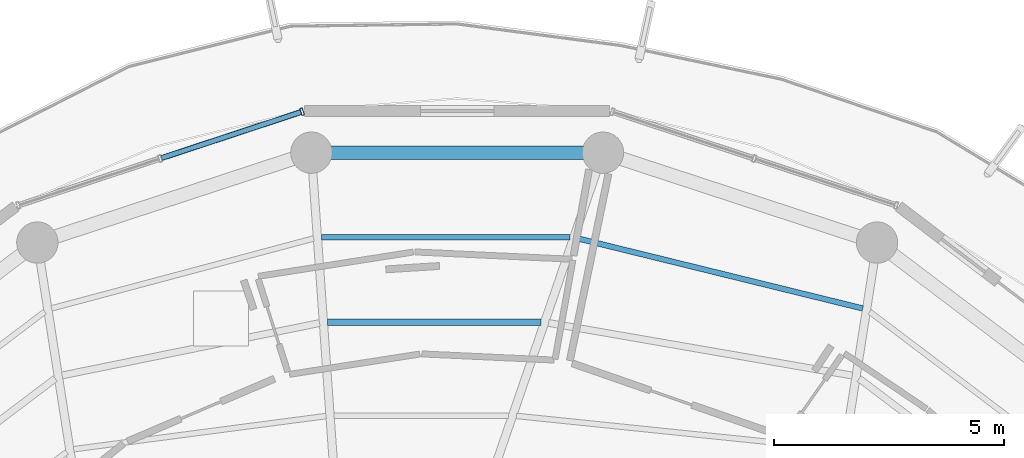
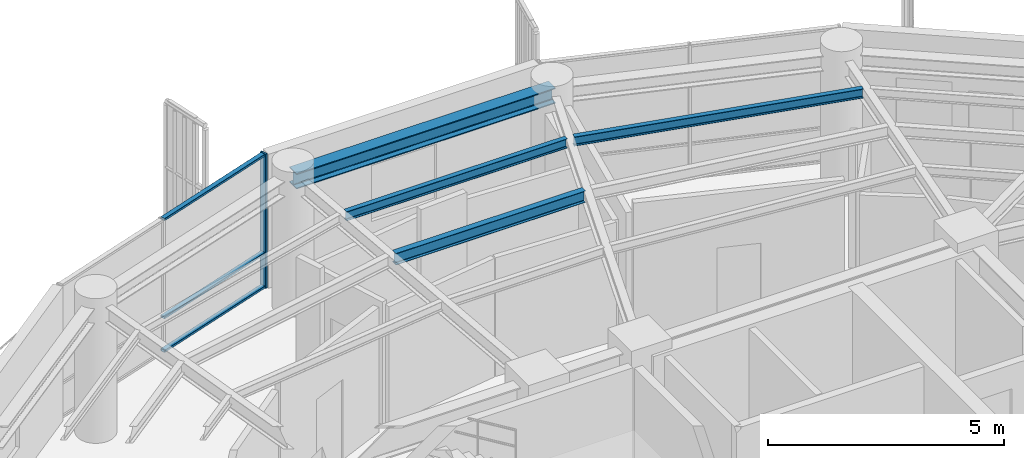
# One storey, part 12 of 22: 4 beams, 4 members, 1 element without a shape of its own.
"""IFC4 building model written with IfcOpenShell, lengths in metres."""

from ifc_helpers import new_model, si_unit, direction, frame, origin, origin_2d, place, context, subcontext, project, spatial, hollow_rectangle, i_section, extrude, material, layer, layer_set, material_profile, profile_set, type_object, element, aggregate, save


model = new_model("IFC4")

# Units and contexts
model_context = context("Model", 3, precision=1e-05, world=origin(), true_north=direction((0.0, 1.0)))
body_context = subcontext(model_context, "Body", "Model", "MODEL_VIEW")
ifc_project = project(units=[si_unit("LENGTHUNIT", "METRE"), si_unit("AREAUNIT", "SQUARE_METRE"), si_unit("VOLUMEUNIT", "CUBIC_METRE"), si_unit("PLANEANGLEUNIT", "RADIAN"), si_unit("MASSUNIT", "GRAM", prefix="KILO")], contexts=[model_context])

# Site, building, storey
site_placement = place(None, origin())
site = spatial("IfcSite", under=ifc_project, at=site_placement, CompositionType="ELEMENT")
building_placement = place(site_placement, origin())
building = spatial("IfcBuilding", under=site, at=building_placement, Name="Kelanora Arch Commons", CompositionType="ELEMENT")
storey_placement = place(building_placement, frame((0.0, 0.0, 274.949951171875)))
storey = spatial("IfcBuildingStorey", under=building, at=storey_placement, Name="L70", CompositionType="ELEMENT", Elevation=274.949951171875)

# Beams
ifc_material_1 = material(Name="Steel S355", Category="steel")
ifc_material_profile_1 = material_profile(ifc_material_1, i_section(OverallWidth=0.14990234375, OverallDepth=0.300048828125, WebThickness=0.007080078125, FlangeThickness=0.0107421875, FilletRadius=0.014892578125, at=origin_2d()), Name="IPE300")
ifc_profile_set_1 = profile_set([ifc_material_profile_1], Name="Steel S355")
beam_type_1 = type_object("IfcBeamType", Name="BM-JST-01", PredefinedType="JOIST", material=ifc_profile_set_1)
beam_1_placement = place(storey_placement, frame((75.819580078125, 70.537841796875, 3.340087890625), z_axis=(-1.0, 0.0, 0.0), x_axis=(0.0, -1.0, 0.0)))
element("IfcBeam", 1, at=beam_1_placement, inside=storey, type_object=beam_type_1, Name="Secondary Chord Joist BJB-08 L70", PredefinedType="JOIST", context=body_context, shape_type="SweptSolid", body=[
    extrude(i_section(OverallWidth=0.14990234375, OverallDepth=0.300048828125, WebThickness=0.007080078125, FlangeThickness=0.0107421875, FilletRadius=0.014892578125, at=origin_2d()), origin(), (0.0, 0.0, 1.0), 4.647216796875),
])
ifc_material_profile_2 = material_profile(ifc_material_1, i_section(OverallWidth=0.1201171875, OverallDepth=0.239990234375, WebThickness=0.006103515625, FlangeThickness=0.009765625, FilletRadius=0.014892578125, at=origin_2d()), Name="IPE240")
ifc_profile_set_2 = profile_set([ifc_material_profile_2], Name="Steel S355")
beam_type_2 = type_object("IfcBeamType", Name="BM-JST-02", PredefinedType="JOIST", material=ifc_profile_set_2)
beam_2_placement = place(storey_placement, frame((82.82958984375, 70.837890625, 3.3701171875), z_axis=(-0.971109719488, 0.23863342749, 0.0), x_axis=(-0.23863342749, -0.971109719488, 0.0)))
element("IfcBeam", 2, at=beam_2_placement, inside=storey, type_object=beam_type_2, Name="Secondary Chord Joist BJC-06 L70", PredefinedType="JOIST", context=body_context, shape_type="SweptSolid", body=[
    extrude(i_section(OverallWidth=0.1201171875, OverallDepth=0.239990234375, WebThickness=0.006103515625, FlangeThickness=0.009765625, FilletRadius=0.014892578125, at=origin_2d()), origin(), (0.0, 0.0, 1.0), 6.39208984375),
])
beam_3_placement = place(storey_placement, frame((76.454345703125, 72.3837890625, 3.3701171875), z_axis=(-1.0, 0.0, 0.0), x_axis=(0.0, -1.0, 0.0)))
element("IfcBeam", 3, at=beam_3_placement, inside=storey, type_object=beam_type_2, Name="Secondary Chord Joist BJC-08 L70", PredefinedType="JOIST", context=body_context, shape_type="SweptSolid", body=[
    extrude(i_section(OverallWidth=0.1201171875, OverallDepth=0.239990234375, WebThickness=0.006103515625, FlangeThickness=0.009765625, FilletRadius=0.014892578125, at=origin_2d()), origin(), (0.0, 0.0, 1.0), 5.412841796875),
])
ifc_material_profile_3 = material_profile(ifc_material_1, i_section(OverallWidth=0.300048828125, OverallDepth=0.39990234375, WebThickness=0.013427734375, FlangeThickness=0.02392578125, FilletRadius=0.027099609375, at=origin_2d()), Name="HEB400")
ifc_profile_set_3 = profile_set([ifc_material_profile_3], Name="Steel S355")
beam_type_3 = type_object("IfcBeamType", Name="BM-SPN-Z4", PredefinedType="SPANDREL", material=ifc_profile_set_3)
beam_4_placement = place(storey_placement, frame((77.17431640625, 74.2294921875, 3.2900390625), z_axis=(-1.0, 0.0, 0.0), x_axis=(0.0, -1.0, 0.0)))
element("IfcBeam", 4, at=beam_4_placement, inside=storey, type_object=beam_type_3, Name="Perimeter Spandrel Beam BS-08 L70", PredefinedType="SPANDREL", context=body_context, shape_type="SweptSolid", body=[
    extrude(i_section(OverallWidth=0.300048828125, OverallDepth=0.39990234375, WebThickness=0.013427734375, FlangeThickness=0.02392578125, FilletRadius=0.027099609375, at=origin_2d()), origin(), (0.0, 0.0, 1.0), 6.3486328125),
])

# Curtain wall, members
ifc_material_2 = material(Name="Terracotta ceramic-fritted low-E glass and aluminium", Category="masonry")
ifc_layer = layer(ifc_material_2, 0.18994140625)
ifc_layer_set = layer_set([ifc_layer], Name="Terracotta ceramic-fritted low-E glass and aluminium")
curtain_wall_type = type_object("IfcCurtainWallType", Name="CW-SYS-03", PredefinedType="NOTDEFINED", material=ifc_layer_set)
curtain_wall_placement = place(storey_placement, origin())
curtain_wall = element("IfcCurtainWall", 5, at=curtain_wall_placement, inside=storey, type_object=curtain_wall_type, Name="Unitised Curtain Wall L70-B05", PredefinedType="NOTDEFINED")
ifc_material_3 = material(Name="Powder-coated aluminium terracotta", Category="masonry")
ifc_material_profile_4 = material_profile(ifc_material_3, hollow_rectangle(XDim=0.159912109375, YDim=0.06005859375, WallThickness=0.0048828125, InnerFilletRadius=0.0048828125, OuterFilletRadius=0.010009765625, at=origin_2d()), Name="CWM160x60")
ifc_profile_set_4 = profile_set([ifc_material_profile_4], Name="Powder-coated aluminium terracotta")
member_type_1 = type_object("IfcMemberType", Name="CWM-STD", PredefinedType="MULLION", material=ifc_profile_set_4)
member_1_placement = place(storey_placement, frame((70.623291015625, 75.12158203125, 0.0), z_axis=(0.0, 0.0, 1.0), x_axis=(0.313252785344, -0.949669780752, 0.0)))
member_1 = element("IfcMember", 6, at=member_1_placement, type_object=member_type_1, Name="CW-03 mullion 1", PredefinedType="MULLION", context=body_context, shape_type="SweptSolid", body=[
    extrude(hollow_rectangle(XDim=0.159912109375, YDim=0.06005859375, WallThickness=0.0048828125, InnerFilletRadius=0.0048828125, OuterFilletRadius=0.010009765625, at=origin_2d()), origin(), (0.0, 0.0, 1.0), 3.47509765625),
])
ifc_material_profile_5 = material_profile(ifc_material_3, hollow_rectangle(XDim=0.1201171875, YDim=0.06005859375, WallThickness=0.0048828125, InnerFilletRadius=0.0048828125, OuterFilletRadius=0.010009765625, at=origin_2d()), Name="CWT120x60")
ifc_profile_set_5 = profile_set([ifc_material_profile_5], Name="Powder-coated aluminium terracotta")
member_type_2 = type_object("IfcMemberType", Name="CWT-STD", PredefinedType="USERDEFINED", material=ifc_profile_set_5)
member_2_placement = place(storey_placement, frame((70.5947265625, 75.1123046875, 0.030029296875), z_axis=(-0.949649574195, -0.313314037719, 0.0), x_axis=(0.313314037719, -0.949649574195, 0.0)))
member_2 = element("IfcMember", 7, at=member_2_placement, type_object=member_type_2, Name="CW-03 transom 1.1", ObjectType="TRANSOM", PredefinedType="USERDEFINED", context=body_context, shape_type="SweptSolid", body=[
    extrude(hollow_rectangle(XDim=0.1201171875, YDim=0.06005859375, WallThickness=0.0048828125, InnerFilletRadius=0.0048828125, OuterFilletRadius=0.010009765625, at=origin_2d()), origin(), (0.0, 0.0, 1.0), 3.194091796875),
])
member_3_placement = place(storey_placement, frame((70.5947265625, 75.1123046875, 0.900146484375), z_axis=(-0.949649574195, -0.313314037719, 0.0), x_axis=(0.313314037719, -0.949649574195, 0.0)))
member_3 = element("IfcMember", 8, at=member_3_placement, type_object=member_type_2, Name="CW-03 transom 1.2", ObjectType="TRANSOM", PredefinedType="USERDEFINED", context=body_context, shape_type="SweptSolid", body=[
    extrude(hollow_rectangle(XDim=0.1201171875, YDim=0.06005859375, WallThickness=0.0048828125, InnerFilletRadius=0.0048828125, OuterFilletRadius=0.010009765625, at=origin_2d()), origin(), (0.0, 0.0, 1.0), 3.194091796875),
])
member_4_placement = place(storey_placement, frame((70.5947265625, 75.1123046875, 3.445068359375), z_axis=(-0.949649574195, -0.313314037719, 0.0), x_axis=(0.313314037719, -0.949649574195, 0.0)))
member_4 = element("IfcMember", 9, at=member_4_placement, type_object=member_type_2, Name="CW-03 transom 1.3", ObjectType="TRANSOM", PredefinedType="USERDEFINED", context=body_context, shape_type="SweptSolid", body=[
    extrude(hollow_rectangle(XDim=0.1201171875, YDim=0.06005859375, WallThickness=0.0048828125, InnerFilletRadius=0.0048828125, OuterFilletRadius=0.010009765625, at=origin_2d()), origin(), (0.0, 0.0, 1.0), 3.194091796875),
])
aggregate(curtain_wall, [member_1, member_2, member_3, member_4])

save(model, "model.ifc")
